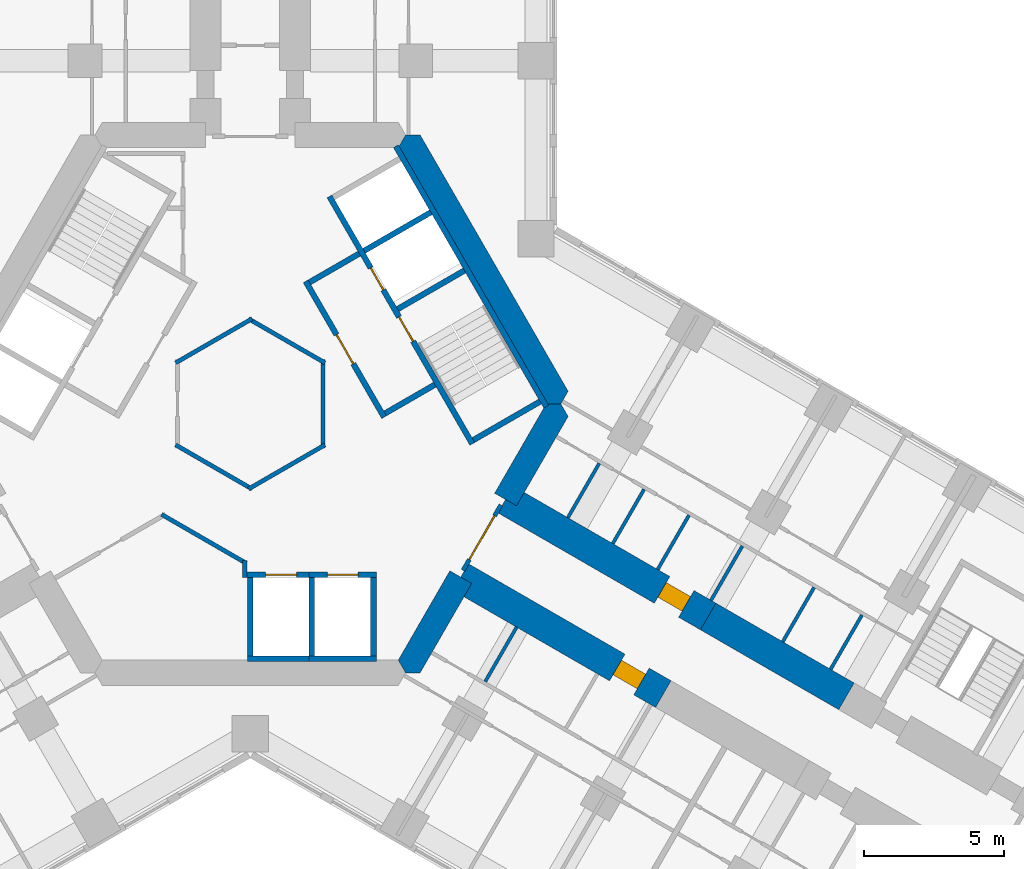
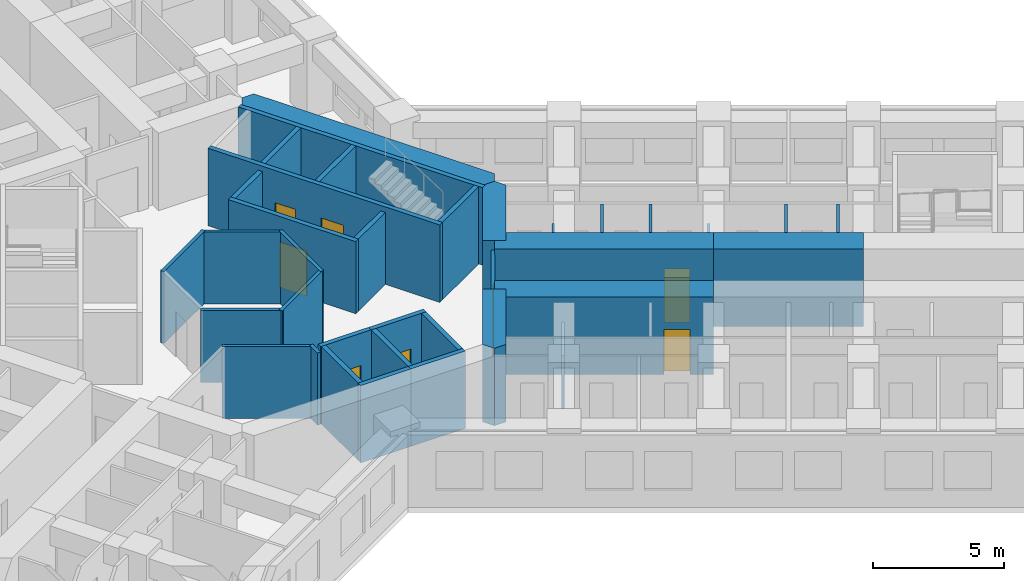
# One storey, part 15 of 19: 36 walls, 8 doors, 8 openings.
"""IFC4 building model written with IfcOpenShell, lengths in metres."""

import ifcopenshell
import ifcopenshell.guid

model = None  # the IFC model being written
_history = None  # IfcOwnerHistory: only IFC2X3 demands one
_inside = {}  # id of a spatial element -> (the spatial element, [elements in it])
_under = {}  # id of a project, library or spatial element -> (it, [spatial elements below it])
_declared = {}  # id of a project -> (the project, [libraries it declares])
_typed = {}  # id of a type object -> (the type object, [elements of that type])
_made_of = {}  # id of a material, layer set ... -> (it, [elements and type objects made of it])


def new_model(schema):
    """Start an empty IFC model of exactly this schema.

    Asked for "IFC4X3", IfcOpenShell would pick the latest addendum, in which some entities
    have other attributes; the version numbers below select the first issue.
    IFC2X3 requires an IfcOwnerHistory on every rooted entity: one is made here for all.
    """
    global model, _history
    if schema == "IFC4X3":
        model = ifcopenshell.file(schema_version=(4, 3, 0, 0))
    else:
        model = ifcopenshell.file(schema=schema)
    _inside.clear()
    _under.clear()
    _declared.clear()
    _typed.clear()
    _made_of.clear()
    _history = None
    if model.schema == "IFC2X3":
        org = make("IfcOrganization", Name="unknown")
        user = make(
            "IfcPersonAndOrganization",
            ThePerson=make("IfcPerson", FamilyName="unknown"),
            TheOrganization=org,
        )
        app = make(
            "IfcApplication",
            ApplicationDeveloper=org,
            Version="unknown",
            ApplicationFullName="unknown",
            ApplicationIdentifier="unknown",
        )
        _history = make(
            "IfcOwnerHistory",
            OwningUser=user,
            OwningApplication=app,
            ChangeAction="ADDED",
            CreationDate=0,
        )
    return model


def make(cls, **values):
    """One entity of the class cls with the attributes given. An attribute that is None is left unset."""
    return model.create_entity(
        cls, **{name: value for name, value in values.items() if value is not None}
    )


def rooted(cls, **values):
    """An entity with a GlobalId (a new one), such as an element, a storey or a relation."""
    return make(cls, GlobalId=ifcopenshell.guid.new(), OwnerHistory=_history, **values)


def si_unit(unit_type, name, prefix=None):
    """IfcSIUnit, for example si_unit("LENGTHUNIT", "METRE", prefix="MILLI")."""
    return make("IfcSIUnit", UnitType=unit_type, Prefix=prefix, Name=name)


def assignment(units):
    """IfcUnitAssignment: the units of a project."""
    return None if units is None else make("IfcUnitAssignment", Units=units)


def point(xyz):
    """IfcCartesianPoint."""
    return None if xyz is None else make("IfcCartesianPoint", Coordinates=xyz)


def direction(xyz):
    """IfcDirection."""
    return None if xyz is None else make("IfcDirection", DirectionRatios=xyz)


def frame(location, z_axis=None, x_axis=None):
    """IfcAxis2Placement3D, a coordinate frame: its origin and axes. An axis left out is left unset."""
    return make(
        "IfcAxis2Placement3D",
        Location=point(location),
        Axis=direction(z_axis),
        RefDirection=direction(x_axis),
    )


def frame_2d(location, x_axis=None):
    """IfcAxis2Placement2D, a coordinate frame in the plane: its origin and x axis."""
    return make(
        "IfcAxis2Placement2D", Location=point(location), RefDirection=direction(x_axis)
    )


def origin():
    """The frame at (0, 0, 0) with its axes left unset."""
    return frame((0.0, 0.0, 0.0))


def place(relative_to, where):
    """IfcLocalPlacement: puts the frame where relative to a parent placement (None: the world)."""
    return make(
        "IfcLocalPlacement", PlacementRelTo=relative_to, RelativePlacement=where
    )


def context(
    kind, dimensions, precision=None, world=None, true_north=None, identifier=None
):
    """IfcGeometricRepresentationContext, for example the 3D "Model" context."""
    return make(
        "IfcGeometricRepresentationContext",
        ContextIdentifier=identifier,
        ContextType=kind,
        CoordinateSpaceDimension=dimensions,
        Precision=precision,
        WorldCoordinateSystem=world,
        TrueNorth=true_north,
    )


def subcontext(parent, identifier, kind, view, scale=None):
    """IfcGeometricRepresentationSubContext, for example "Body" below "Model"."""
    return make(
        "IfcGeometricRepresentationSubContext",
        ContextIdentifier=identifier,
        ContextType=kind,
        ParentContext=parent,
        TargetScale=scale,
        TargetView=view,
    )


def project(units=None, contexts=None):
    """IfcProject with its units and contexts."""
    return rooted(
        "IfcProject",
        Name="project",
        RepresentationContexts=contexts,
        UnitsInContext=assignment(units),
    )


def spatial(cls, under=None, at=None, **own):
    """A site, building, storey or space (cls), placed at a placement, below another one or the project."""
    s = rooted(cls, ObjectPlacement=at, **own)
    if under is not None:
        _under.setdefault(under.id(), (under, []))[1].append(s)
    return s


def polyline(points):
    """IfcPolyline through the points."""
    return make("IfcPolyline", Points=[point(p) for p in points])


def profile(cls, at=None, kind="AREA", **sizes):
    """A parametric profile (cls). Its sizes go by their IFC names, for example OverallWidth=200.0."""
    return make(cls, ProfileType=kind, Position=at, **sizes)


def rectangle(**sizes):
    """IfcRectangleProfileDef."""
    return profile("IfcRectangleProfileDef", **sizes)


def outline(outer, holes=None, kind="AREA"):
    """IfcArbitraryClosedProfileDef: a profile drawn as a closed curve; with holes, ...WithVoids."""
    if holes is None:
        return make("IfcArbitraryClosedProfileDef", ProfileType=kind, OuterCurve=outer)
    return make(
        "IfcArbitraryProfileDefWithVoids",
        ProfileType=kind,
        OuterCurve=outer,
        InnerCurves=holes,
    )


def extrude(swept, where, along, depth):
    """IfcExtrudedAreaSolid: the profile swept, set in the frame where, extruded along a direction by depth."""
    return make(
        "IfcExtrudedAreaSolid",
        SweptArea=swept,
        Position=where,
        ExtrudedDirection=direction(along),
        Depth=depth,
    )


def shape(context_of_items, identifier, shape_type, items):
    """IfcShapeRepresentation: the items that make up one representation, for example the "Body"."""
    return make(
        "IfcShapeRepresentation",
        ContextOfItems=context_of_items,
        RepresentationIdentifier=identifier,
        RepresentationType=shape_type,
        Items=items,
    )


def material(Name=None, Category=None):
    """IfcMaterial."""
    return make("IfcMaterial", Name=Name, Category=Category)


def layer(
    of_material, thickness, ventilated=None, Name=None, Category=None, Priority=None
):
    """IfcMaterialLayer: one layer of a wall or slab, of a material (None: an air gap)."""
    return make(
        "IfcMaterialLayer",
        Material=of_material,
        LayerThickness=thickness,
        IsVentilated=ventilated,
        Name=Name,
        Category=Category,
        Priority=Priority,
    )


def layer_set(layers, Name=None):
    """IfcMaterialLayerSet."""
    return make("IfcMaterialLayerSet", MaterialLayers=layers, LayerSetName=Name)


def made_of(thing, what):
    """Note that an element or type object is made of a material, layer set ...; save() writes the relation."""
    if what is not None:
        _made_of.setdefault(what.id(), (what, []))[1].append(thing)
    return thing


def type_object(cls, material=None, **own):
    """A type object (cls), such as IfcWallType, which elements share."""
    return made_of(rooted(cls, **own), material)


def element(
    cls,
    number,
    at=None,
    inside=None,
    cuts=None,
    type_object=None,
    material=None,
    context=None,
    identifier="Body",
    shape_type=None,
    held_by="IfcProductDefinitionShape",
    body=None,
    shapes=None,
    **own,
):
    """One element of the class cls, such as IfcWall. Its Tag is "e" and its number.

    at: its placement. inside: the storey or other place that contains it. cuts: it is an
    opening in that element (IfcRelVoidsElement). A single representation is given by context,
    identifier, shape_type and body (its items); several are given by shapes. held_by: the class
    of the entity that holds the representations. save() writes the other relations.
    """
    e = rooted(cls, Tag="e%d" % number, ObjectPlacement=at, **own)
    if body is not None:
        shapes = [shape(context, identifier, shape_type, body)]
    if shapes is not None:
        e.Representation = make(held_by, Representations=shapes)
    if inside is not None:
        _inside.setdefault(inside.id(), (inside, []))[1].append(e)
    if cuts is not None:
        rooted(
            "IfcRelVoidsElement", RelatingBuildingElement=cuts, RelatedOpeningElement=e
        )
    if type_object is not None:
        _typed.setdefault(type_object.id(), (type_object, []))[1].append(e)
    return made_of(e, material)


def fill(opening, filler):
    """IfcRelFillsElement: the door or window that sits in an opening."""
    return rooted(
        "IfcRelFillsElement",
        RelatingOpeningElement=opening,
        RelatedBuildingElement=filler,
    )


def aggregate(whole, parts):
    """IfcRelAggregates: a whole, such as a stair, and the parts it consists of."""
    return rooted("IfcRelAggregates", RelatingObject=whole, RelatedObjects=parts)


def save(model, path):
    """Write the relations noted so far, then the file.

    IfcRelAggregates (storeys below a building ...), IfcRelContainedInSpatialStructure (elements
    in a storey), IfcRelDefinesByType, IfcRelAssociatesMaterial and IfcRelDeclares: one each for
    every whole, place, type object, material and project.
    """
    for whole, parts in _under.values():
        aggregate(whole, parts)
    for where, things in _inside.values():
        rooted(
            "IfcRelContainedInSpatialStructure",
            RelatedElements=things,
            RelatingStructure=where,
        )
    for kind, things in _typed.values():
        rooted("IfcRelDefinesByType", RelatedObjects=things, RelatingType=kind)
    for what, things in _made_of.values():
        rooted("IfcRelAssociatesMaterial", RelatedObjects=things, RelatingMaterial=what)
    for by, libraries in _declared.values():
        rooted("IfcRelDeclares", RelatingContext=by, RelatedDefinitions=libraries)
    model.write(path)


model = new_model("IFC4")

# Units and contexts
model_context = context("Model", 3, precision=1e-05, world=origin(), true_north=direction((0.0, 1.0)))
body_context = subcontext(model_context, "Body", "Model", "MODEL_VIEW")
ifc_project = project(units=[si_unit("LENGTHUNIT", "METRE"), si_unit("AREAUNIT", "SQUARE_METRE"), si_unit("VOLUMEUNIT", "CUBIC_METRE"), si_unit("PLANEANGLEUNIT", "RADIAN"), si_unit("MASSUNIT", "GRAM", prefix="KILO")], contexts=[model_context])

# Site, building, storey
site_placement = place(None, origin())
site = spatial("IfcSite", under=ifc_project, at=site_placement, CompositionType="ELEMENT")
building_placement = place(site_placement, origin())
building = spatial("IfcBuilding", under=site, at=building_placement, Name="Kosmar Iwan School Tower", CompositionType="ELEMENT")
storey_placement = place(building_placement, frame((0.0, 0.0, 120.199951171875)))
storey = spatial("IfcBuildingStorey", under=building, at=storey_placement, Name="L29", CompositionType="ELEMENT", Elevation=120.199951171875)

# Walls
ifc_material_1 = material(Name="Gypsum board on steel studs, fire-rated", Category="steel")
ifc_layer_1 = layer(ifc_material_1, 0.14990234375)
ifc_layer_set_1 = layer_set([ifc_layer_1], Name="Core room partition 150")
wall_type_1 = type_object("IfcWallType", Name="Core room partition 150", PredefinedType="PARTITIONING", material=ifc_layer_set_1)
wall_1_placement = place(storey_placement, frame((-3.1650390625, -3.9462890625, 0.0), z_axis=(0.0, 0.0, 1.0), x_axis=(0.866040335699, -0.499974136273, 0.0)))
element("IfcWall", 1, at=wall_1_placement, inside=storey, type_object=wall_type_1, Name="Core room partition L29-CW6", PredefinedType="PARTITIONING", context=body_context, shape_type="SweptSolid", body=[
    extrude(rectangle(XDim=3.498779296875, YDim=0.14990234375, at=frame_2d((1.74951171875, 0.0))), origin(), (0.0, 0.0, 1.0), 3.35009765625),
])
wall_2_placement = place(storey_placement, frame((-0.199951171875, -5.5830078125, 0.0), z_axis=(0.0, 0.0, 1.0), x_axis=(0.0, -1.0, 0.0)))
element("IfcWall", 2, at=wall_2_placement, inside=storey, type_object=wall_type_1, Name="Core room partition L29-CW7", PredefinedType="PARTITIONING", context=body_context, shape_type="SweptSolid", body=[
    extrude(rectangle(XDim=0.616943359375, YDim=0.14990234375, at=frame_2d((0.30859375, 0.0))), origin(), (0.0, 0.0, 1.0), 3.35009765625),
])
for number, where, z_axis, x_axis, name in (
    (3, (2.6650390625, -1.463623046875, 0.0), (0.0, 0.0, 1.0), (-0.866023080072, -0.500004024767, 0.0), "Core room partition L29-CW8"),
    (4, (0.06494140625, -3.039794921875, 0.0), (0.0, 0.0, 1.0), (-0.866023080072, 0.500004024767, 0.0), "Core room partition L29-CW9"),
    (5, (-2.6650390625, 1.463623046875, 0.0), (0.0, 0.0, 1.0), (0.866023080072, 0.500004024767, 0.0), "Core room partition L29-CW11"),
    (6, (-0.06494140625, 3.039794921875, 0.0), (0.0, 0.0, 1.0), (0.866023080072, -0.500004024767, 0.0), "Core room partition L29-CW12"),
    (7, (2.60009765625, 1.576171875, 0.0), (0.0, 0.0, 1.0), (0.0, -1.0, 0.0), "Core room partition L29-CW13"),
):
    element("IfcWall", number, at=place(storey_placement, frame(where, z_axis=z_axis, x_axis=x_axis)), inside=storey, type_object=wall_type_1, Name=name, PredefinedType="PARTITIONING", context=body_context, shape_type="SweptSolid", body=[
        extrude(rectangle(XDim=3.15234375, YDim=0.14990234375, at=frame_2d((1.576171875, 0.0))), origin(), (0.0, 0.0, 1.0), 3.35009765625),
    ])
ifc_material_2 = material(Name="Concrete C50/60", Category="concrete")
ifc_layer_2 = layer(ifc_material_2, 0.89990234375)
ifc_layer_set_2 = layer_set([ifc_layer_2], Name="Core wall 900")
wall_type_2 = type_object("IfcWallType", Name="Core wall 900", PredefinedType="SHEAR", material=ifc_layer_set_2)
wall_3_placement = place(storey_placement, origin())
element("IfcWall", 8, at=wall_3_placement, inside=storey, type_object=wall_type_2, Name="Core wall F030", PredefinedType="SHEAR", context=body_context, shape_type="SweptSolid", body=[
    extrude(outline(polyline([(10.5654296875, 0.0), (11.085205078125, 0.0), (11.344970703125, 0.449951171875), (6.062255859375, 9.60009765625), (5.54248046875, 9.60009765625), (5.28271484375, 9.14990234375), (10.5654296875, 0.0)])), origin(), (0.0, 0.0, 1.0), 3.60009765625),
])
wall_4_placement = place(storey_placement, origin())
element("IfcWall", 9, at=wall_4_placement, inside=storey, type_object=wall_type_2, Name="Core wall F330a", PredefinedType="SHEAR", context=body_context, shape_type="SweptSolid", body=[
    extrude(outline(polyline([(5.54248046875, -9.60009765625), (6.062255859375, -9.60009765625), (7.903564453125, -6.41064453125), (7.1240234375, -5.960693359375), (5.28271484375, -9.14990234375), (5.54248046875, -9.60009765625)])), origin(), (0.0, 0.0, 1.0), 3.60009765625),
])
wall_5_placement = place(storey_placement, origin())
element("IfcWall", 10, at=wall_5_placement, inside=storey, type_object=wall_type_2, Name="Core wall F330b", PredefinedType="SHEAR", context=body_context, shape_type="SweptSolid", body=[
    extrude(outline(polyline([(9.503662109375, -3.639404296875), (11.344970703125, -0.449951171875), (11.085205078125, 0.0), (10.5654296875, 0.0), (8.72412109375, -3.189453125), (9.503662109375, -3.639404296875)])), origin(), (0.0, 0.0, 1.0), 3.60009765625),
])

# Wall, opening, door
ifc_material_3 = material(Name="Concrete C50/60", Category="concrete")
ifc_layer_3 = layer(ifc_material_3, 1.10009765625)
ifc_layer_set_3 = layer_set([ifc_layer_3], Name="Corridor buttress wall 1100")
wall_type_3 = type_object("IfcWallType", Name="Corridor buttress wall 1100", PredefinedType="SHEAR", material=ifc_layer_set_3)
wall_6_placement = place(storey_placement, frame((9.11376953125, -3.414306640625, 0.0), z_axis=(0.0, 0.0, 1.0), x_axis=(0.866026859388, -0.499997478812, 0.0)))
wall_6 = element("IfcWall", 11, at=wall_6_placement, inside=storey, type_object=wall_type_3, Name="Corridor wall CL", PredefinedType="SHEAR", context=body_context, shape_type="SweptSolid", body=[
    extrude(rectangle(XDim=8.35009765625, YDim=1.10009765625, at=frame_2d((4.175048828125, 0.0))), origin(), (0.0, 0.0, 1.0), 3.60009765625),
])
opening_1_placement = place(wall_6_placement, frame((6.449951171875, 0.0, 0.0)))
opening_1 = element("IfcOpeningElement", 12, at=opening_1_placement, cuts=wall_6, Name="Opening D1", PredefinedType="OPENING", context=body_context, shape_type="SweptSolid", body=[
    extrude(rectangle(XDim=1.0, YDim=2.10009765625, at=frame_2d((0.5, 1.050048828125))), frame((0.0, 0.56201171875, 0.0), z_axis=(0.0, -1.0, 0.0), x_axis=(1.0, 0.0, 0.0)), (0.0, 0.0, 1.0), 1.1240234375),
])
ifc_material_4 = material(Name="Timber fire door in steel frame", Category="steel")
door_type_1 = type_object("IfcDoorType", Name="Flat entrance door 1000x2100", OperationType="SINGLE_SWING_LEFT", PredefinedType="DOOR", material=ifc_material_4)
door_1_placement = place(opening_1_placement, origin())
door_1 = element("IfcDoor", 13, at=door_1_placement, inside=storey, type_object=door_type_1, Name="Flat L29-CL1 entrance door", OperationType="SINGLE_SWING_LEFT", OverallHeight=2.10009765625, OverallWidth=1.0, PredefinedType="DOOR", context=body_context, shape_type="SweptSolid", body=[
    extrude(rectangle(XDim=1.0, YDim=2.10009765625, at=frame_2d((0.5, 1.050048828125))), frame((0.0, 0.300048828125, 0.0), z_axis=(0.0, -1.0, 0.0), x_axis=(1.0, 0.0, 0.0)), (0.0, 0.0, 1.0), 0.60009765625),
])
fill(opening_1, door_1)

# Wall
wall_7_placement = place(storey_placement, frame((16.34521484375, -7.58935546875, 0.0), z_axis=(0.0, 0.0, 1.0), x_axis=(0.866015111908, -0.50001782563, 0.0)))
element("IfcWall", 14, at=wall_7_placement, inside=storey, type_object=wall_type_3, Name="Corridor wall CL bay 2", PredefinedType="SHEAR", context=body_context, shape_type="SweptSolid", body=[
    extrude(rectangle(XDim=5.699951171875, YDim=1.10009765625, at=frame_2d((2.85009765625, 0.0))), origin(), (0.0, 0.0, 1.0), 3.60009765625),
])

# Wall, opening, door
wall_8_placement = place(storey_placement, frame((7.513916015625, -6.185546875, 0.0), z_axis=(0.0, 0.0, 1.0), x_axis=(0.866019549707, -0.500010139422, 0.0)))
wall_8 = element("IfcWall", 15, at=wall_8_placement, inside=storey, type_object=wall_type_3, Name="Corridor wall CR", PredefinedType="SHEAR", context=body_context, shape_type="SweptSolid", body=[
    extrude(rectangle(XDim=8.349853515625, YDim=1.10009765625, at=frame_2d((4.1748046875, 0.0))), origin(), (0.0, 0.0, 1.0), 3.60009765625),
])
opening_2_placement = place(wall_8_placement, frame((6.449951171875, 0.0, 0.0)))
opening_2 = element("IfcOpeningElement", 16, at=opening_2_placement, cuts=wall_8, Name="Opening D1", PredefinedType="OPENING", context=body_context, shape_type="SweptSolid", body=[
    extrude(rectangle(XDim=1.0, YDim=2.10009765625, at=frame_2d((0.5, 1.050048828125))), frame((0.0, 0.56201171875, 0.0), z_axis=(0.0, -1.0, 0.0), x_axis=(1.0, 0.0, 0.0)), (0.0, 0.0, 1.0), 1.1240234375),
])
door_2_placement = place(opening_2_placement, origin())
door_2 = element("IfcDoor", 17, at=door_2_placement, inside=storey, type_object=door_type_1, Name="Flat L29-CR1 entrance door", OperationType="SINGLE_SWING_RIGHT", OverallHeight=2.10009765625, OverallWidth=1.0, PredefinedType="DOOR", context=body_context, shape_type="SweptSolid", body=[
    extrude(rectangle(XDim=1.0, YDim=2.10009765625, at=frame_2d((0.5, 1.050048828125))), frame((0.0, 0.300048828125, 0.0), z_axis=(0.0, -1.0, 0.0), x_axis=(1.0, 0.0, 0.0)), (0.0, 0.0, 1.0), 0.60009765625),
])
fill(opening_2, door_2)

ifc_material_5 = material(Name="Steel framed glazed screen", Category="steel")
ifc_layer_4 = layer(ifc_material_5, 0.14990234375)
ifc_layer_set_4 = layer_set([ifc_layer_4], Name="Corridor screen wall 150")
wall_type_4 = type_object("IfcWallType", Name="Corridor screen wall 150", PredefinedType="PARTITIONING", material=ifc_layer_set_4)
wall_9_placement = place(storey_placement, frame((7.595458984375, -5.944091796875, 0.0), z_axis=(0.0, 0.0, 1.0), x_axis=(0.500048589285, 0.86599734893, 0.0)))
wall_9 = element("IfcWall", 18, at=wall_9_placement, inside=storey, type_object=wall_type_4, Name="Corridor screen C L29", PredefinedType="PARTITIONING", context=body_context, shape_type="SweptSolid", body=[
    extrude(rectangle(XDim=2.699951171875, YDim=0.14990234375, at=frame_2d((1.35009765625, 0.0))), origin(), (0.0, 0.0, 1.0), 3.35009765625),
])
opening_3_placement = place(wall_9_placement, frame((0.449951171875, 0.0, 0.0)))
opening_3 = element("IfcOpeningElement", 19, at=opening_3_placement, cuts=wall_9, Name="Opening D9", PredefinedType="OPENING", context=body_context, shape_type="SweptSolid", body=[
    extrude(rectangle(XDim=1.800048828125, YDim=2.10009765625, at=frame_2d((0.89990234375, 1.050048828125))), frame((0.0, 0.0869140625, 0.0), z_axis=(0.0, -1.0, 0.0), x_axis=(1.0, 0.0, 0.0)), (0.0, 0.0, 1.0), 0.173828125),
])
ifc_material_6 = material(Name="Steel framed glazed smoke door", Category="steel")
door_type_2 = type_object("IfcDoorType", Name="Corridor smoke door pair 1800x2100", OperationType="DOUBLE_DOOR_DOUBLE_SWING", PredefinedType="DOOR", material=ifc_material_6)
door_3_placement = place(opening_3_placement, origin())
door_3 = element("IfcDoor", 20, at=door_3_placement, inside=storey, type_object=door_type_2, Name="Corridor doors C L29", OperationType="DOUBLE_DOOR_DOUBLE_SWING", OverallHeight=2.10009765625, OverallWidth=1.800048828125, PredefinedType="DOOR", context=body_context, shape_type="SweptSolid", body=[
    extrude(rectangle(XDim=1.800048828125, YDim=2.10009765625, at=frame_2d((0.89990234375, 1.050048828125))), frame((0.0, 0.02490234375, 0.0), z_axis=(0.0, -1.0, 0.0), x_axis=(1.0, 0.0, 0.0)), (0.0, 0.0, 1.0), 0.050048828125),
])
fill(opening_3, door_3)

# Walls
ifc_material_7 = material(Name="Gypsum board on steel studs", Category="steel")
ifc_layer_5 = layer(ifc_material_7, 0.1201171875)
ifc_layer_set_5 = layer_set([ifc_layer_5], Name="Dwelling partition 120")
wall_type_5 = type_object("IfcWallType", Name="Dwelling partition 120", PredefinedType="PARTITIONING", material=ifc_layer_set_5)
wall_10_placement = place(storey_placement, frame((11.33740234375, -4.06298828125, 0.0), z_axis=(0.0, 0.0, 1.0), x_axis=(0.500030632641, 0.866007717299, 0.0)))
element("IfcWall", 21, at=wall_10_placement, inside=storey, type_object=wall_type_5, Name="Partition L29-CL1-Y1", PredefinedType="PARTITIONING", context=body_context, shape_type="SweptSolid", body=[
    extrude(rectangle(XDim=2.239990234375, YDim=0.1201171875, at=frame_2d((1.1201171875, 0.0))), origin(), (0.0, 0.0, 1.0), 2.449951171875),
])
for number, where, z_axis, x_axis, name in (
    (22, (12.939453125, -4.988037109375, 0.0), (0.0, 0.0, 1.0), (0.500030632641, 0.866007717299, 0.0), "Partition L29-CL1-Y2"),
    (23, (14.541748046875, -5.9130859375, 0.0), (0.0, 0.0, 1.0), (0.49994888933, 0.866054910533, 0.0), "Partition L29-CL1-Y3"),
):
    element("IfcWall", number, at=place(storey_placement, frame(where, z_axis=z_axis, x_axis=x_axis)), inside=storey, type_object=wall_type_5, Name=name, PredefinedType="PARTITIONING", context=body_context, shape_type="SweptSolid", body=[
        extrude(rectangle(XDim=2.239990234375, YDim=0.1201171875, at=frame_2d((1.1201171875, 0.0))), origin(), (0.0, 0.0, 1.0), 3.35009765625),
    ])
wall_11_placement = place(storey_placement, frame((16.447021484375, -7.012939453125, 0.0), z_axis=(0.0, 0.0, 1.0), x_axis=(0.49999608499, 0.866027664105, 0.0)))
element("IfcWall", 24, at=wall_11_placement, inside=storey, type_object=wall_type_5, Name="Partition L29-CL1-Y4", PredefinedType="PARTITIONING", context=body_context, shape_type="SweptSolid", body=[
    extrude(rectangle(XDim=2.23974609375, YDim=0.1201171875, at=frame_2d((1.119873046875, 0.0))), origin(), (0.0, 0.0, 1.0), 2.449951171875),
])
for number, where, z_axis, x_axis, name in (
    (25, (19.0078125, -8.49169921875, 0.0), (0.0, 0.0, 1.0), (0.500030632641, 0.866007717299, 0.0), "Partition L29-CL1-Y5"),
    (26, (20.71533203125, -9.477294921875, 0.0), (0.0, 0.0, 1.0), (0.49994888933, 0.866054910533, 0.0), "Partition L29-CL1-Y6"),
):
    element("IfcWall", number, at=place(storey_placement, frame(where, z_axis=z_axis, x_axis=x_axis)), inside=storey, type_object=wall_type_5, Name=name, PredefinedType="PARTITIONING", context=body_context, shape_type="SweptSolid", body=[
        extrude(rectangle(XDim=2.239990234375, YDim=0.1201171875, at=frame_2d((1.1201171875, 0.0))), origin(), (0.0, 0.0, 1.0), 3.35009765625),
    ])
wall_12_placement = place(storey_placement, frame((9.5078125, -7.971923828125, 0.0), z_axis=(0.0, 0.0, 1.0), x_axis=(-0.49994888933, -0.866054910533, 0.0)))
element("IfcWall", 27, at=wall_12_placement, inside=storey, type_object=wall_type_5, Name="Partition L29-CR1-Y1", PredefinedType="PARTITIONING", context=body_context, shape_type="SweptSolid", body=[
    extrude(rectangle(XDim=2.239990234375, YDim=0.1201171875, at=frame_2d((1.1201171875, 0.0))), origin(), (0.0, 0.0, 1.0), 2.449951171875),
])

# Wall, opening, door
ifc_material_8 = material(Name="Concrete block masonry", Category="masonry")
ifc_layer_6 = layer(ifc_material_8, 0.199951171875)
ifc_layer_set_6 = layer_set([ifc_layer_6], Name="Fire lobby wall 200")
wall_type_6 = type_object("IfcWallType", Name="Fire lobby wall 200", PredefinedType="PARTITIONING", material=ifc_layer_set_6)
wall_13_placement = place(storey_placement, frame((4.777587890625, -0.474853515625, 0.0), z_axis=(0.0, 0.0, 1.0), x_axis=(-0.500016814911, 0.866015695474, 0.0)))
wall_13 = element("IfcWall", 28, at=wall_13_placement, inside=storey, type_object=wall_type_6, Name="Firefighting lobby wall ST1", PredefinedType="PARTITIONING", context=body_context, shape_type="SweptSolid", body=[
    extrude(rectangle(XDim=5.599853515625, YDim=0.199951171875, at=frame_2d((2.7998046875, 0.0))), origin(), (0.0, 0.0, 1.0), 3.35009765625),
])
opening_4_placement = place(wall_13_placement, frame((2.199951171875, 0.0, 0.0)))
opening_4 = element("IfcOpeningElement", 29, at=opening_4_placement, cuts=wall_13, Name="Opening D7", PredefinedType="OPENING", context=body_context, shape_type="SweptSolid", body=[
    extrude(rectangle(XDim=1.199951171875, YDim=2.10009765625, at=frame_2d((0.60009765625, 1.050048828125))), frame((0.0, 0.112060546875, 0.0), z_axis=(0.0, -1.0, 0.0), x_axis=(1.0, 0.0, 0.0)), (0.0, 0.0, 1.0), 0.223876953125),
])
ifc_material_9 = material(Name="Steel fire door", Category="steel")
door_type_3 = type_object("IfcDoorType", Name="Fire lobby door 1200x2100", OperationType="SINGLE_SWING_LEFT", PredefinedType="DOOR", material=ifc_material_9)
door_4_placement = place(opening_4_placement, frame((1.199951171875, 0.0, 0.0), z_axis=(0.0, 0.0, 1.0), x_axis=(-1.0, 0.0, 0.0)))
door_4 = element("IfcDoor", 30, at=door_4_placement, inside=storey, type_object=door_type_3, Name="Firefighting lobby door ST1 L29", OperationType="SINGLE_SWING_RIGHT", OverallHeight=2.10009765625, OverallWidth=1.199951171875, PredefinedType="DOOR", context=body_context, shape_type="SweptSolid", body=[
    extrude(rectangle(XDim=1.199951171875, YDim=2.10009765625, at=frame_2d((0.60009765625, 1.050048828125))), frame((0.0, 0.02490234375, 0.0), z_axis=(0.0, -1.0, 0.0), x_axis=(1.0, 0.0, 0.0)), (0.0, 0.0, 1.0), 0.050048828125),
])
fill(opening_4, door_4)

# Walls
wall_14_placement = place(storey_placement, frame((4.814208984375, -0.33837890625, 0.0), z_axis=(0.0, 0.0, 1.0), x_axis=(0.865969381856, 0.500097020274, 0.0)))
element("IfcWall", 31, at=wall_14_placement, inside=storey, type_object=wall_type_6, Name="Firefighting lobby wall ST1", PredefinedType="PARTITIONING", context=body_context, shape_type="SweptSolid", body=[
    extrude(rectangle(XDim=2.0498046875, YDim=0.199951171875, at=frame_2d((1.02490234375, 0.0))), origin(), (0.0, 0.0, 1.0), 3.35009765625),
])
wall_15_placement = place(storey_placement, frame((2.114013671875, 4.33837890625, 0.0), z_axis=(0.0, 0.0, 1.0), x_axis=(0.866050731258, 0.499956128963, 0.0)))
element("IfcWall", 32, at=wall_15_placement, inside=storey, type_object=wall_type_6, Name="Firefighting lobby wall ST1", PredefinedType="PARTITIONING", context=body_context, shape_type="SweptSolid", body=[
    extrude(rectangle(XDim=2.050048828125, YDim=0.199951171875, at=frame_2d((1.02490234375, 0.0))), origin(), (0.0, 0.0, 1.0), 3.35009765625),
])

# Wall, openings, doors
ifc_material_10 = material(Name="Concrete C50/60", Category="concrete")
ifc_layer_7 = layer(ifc_material_10, 0.199951171875)
ifc_layer_set_7 = layer_set([ifc_layer_7], Name="Lift shaft wall 200")
wall_type_7 = type_object("IfcWallType", Name="Lift shaft wall 200", PredefinedType="SHEAR", material=ifc_layer_set_7)
wall_16_placement = place(storey_placement, frame((7.926025390625, -1.42822265625, 0.0), z_axis=(0.0, 0.0, 1.0), x_axis=(-0.499998023675, 0.866026544813, 0.0)))
wall_16 = element("IfcWall", 33, at=wall_16_placement, inside=storey, type_object=wall_type_7, Name="Lift and stair front wall AC", PredefinedType="SHEAR", context=body_context, shape_type="SweptSolid", body=[
    extrude(rectangle(XDim=10.19970703125, YDim=0.199951171875, at=frame_2d((5.099853515625, 0.0))), origin(), (0.0, 0.0, 1.0), 3.60009765625),
])
opening_5_placement = place(wall_16_placement, frame((6.35009765625, 0.0, 0.0)))
opening_5 = element("IfcOpeningElement", 34, at=opening_5_placement, cuts=wall_16, Name="Opening LD2", PredefinedType="OPENING", context=body_context, shape_type="SweptSolid", body=[
    extrude(rectangle(XDim=0.89990234375, YDim=2.10009765625, at=frame_2d((0.449951171875, 1.050048828125))), frame((0.0, 0.112060546875, 0.0), z_axis=(0.0, -1.0, 0.0), x_axis=(1.0, 0.0, 0.0)), (0.0, 0.0, 1.0), 0.223876953125),
])
opening_6_placement = place(wall_16_placement, frame((4.22998046875, 0.0, 0.0)))
opening_6 = element("IfcOpeningElement", 35, at=opening_6_placement, cuts=wall_16, Name="Opening D6", PredefinedType="OPENING", context=body_context, shape_type="SweptSolid", body=[
    extrude(rectangle(XDim=1.0, YDim=2.10009765625, at=frame_2d((0.5, 1.050048828125))), frame((0.0, 0.112060546875, 0.0), z_axis=(0.0, -1.0, 0.0), x_axis=(1.0, 0.0, 0.0)), (0.0, 0.0, 1.0), 0.223876953125),
])
ifc_material_11 = material(Name="Stainless steel sliding lift door", Category="steel")
door_type_4 = type_object("IfcDoorType", Name="Firefighting lift landing door 900x2100", OperationType="SLIDING_TO_LEFT", PredefinedType="DOOR", material=ifc_material_11)
door_5_placement = place(opening_5_placement, origin())
door_5 = element("IfcDoor", 36, at=door_5_placement, inside=storey, type_object=door_type_4, Name="Lift FF1 landing door L29", OperationType="SLIDING_TO_LEFT", OverallHeight=2.10009765625, OverallWidth=0.89990234375, PredefinedType="DOOR", context=body_context, shape_type="SweptSolid", body=[
    extrude(rectangle(XDim=0.89990234375, YDim=2.10009765625, at=frame_2d((0.449951171875, 1.050048828125))), frame((0.0, 0.02490234375, 0.0), z_axis=(0.0, -1.0, 0.0), x_axis=(1.0, 0.0, 0.0)), (0.0, 0.0, 1.0), 0.050048828125),
])
fill(opening_5, door_5)
ifc_material_12 = material(Name="Steel fire door", Category="steel")
door_type_5 = type_object("IfcDoorType", Name="Stair door 1000x2100", OperationType="SINGLE_SWING_LEFT", PredefinedType="DOOR", material=ifc_material_12)
door_6_placement = place(opening_6_placement, origin())
door_6 = element("IfcDoor", 37, at=door_6_placement, inside=storey, type_object=door_type_5, Name="Stair ST1 door L29", OperationType="SINGLE_SWING_LEFT", OverallHeight=2.10009765625, OverallWidth=1.0, PredefinedType="DOOR", context=body_context, shape_type="SweptSolid", body=[
    extrude(rectangle(XDim=1.0, YDim=2.10009765625, at=frame_2d((0.5, 1.050048828125))), frame((0.0, 0.02490234375, 0.0), z_axis=(0.0, -1.0, 0.0), x_axis=(1.0, 0.0, 0.0)), (0.0, 0.0, 1.0), 0.050048828125),
])
fill(opening_6, door_6)

# Walls
wall_17_placement = place(storey_placement, frame((10.5654296875, -0.10009765625, 0.0), z_axis=(0.0, 0.0, 1.0), x_axis=(-0.499999935134, 0.866025441235, 0.0)))
element("IfcWall", 38, at=wall_17_placement, inside=storey, type_object=wall_type_7, Name="Lift and stair back wall AC", PredefinedType="SHEAR", context=body_context, shape_type="SweptSolid", body=[
    extrude(rectangle(XDim=10.73876953125, YDim=0.199951171875, at=frame_2d((5.369384765625, 0.0))), origin(), (0.0, 0.0, 1.0), 3.60009765625),
])
wall_18_placement = place(storey_placement, frame((4.062744140625, 5.46337890625, 0.0), z_axis=(0.0, 0.0, 1.0), x_axis=(0.866027397988, 0.499996545922, 0.0)))
element("IfcWall", 39, at=wall_18_placement, inside=storey, type_object=wall_type_7, Name="Lift shaft wall AC 1", PredefinedType="SHEAR", context=body_context, shape_type="SweptSolid", body=[
    extrude(rectangle(XDim=2.75, YDim=0.199951171875, at=frame_2d((1.375, 0.0))), origin(), (0.0, 0.0, 1.0), 3.60009765625),
])

# Wall, opening, door
wall_19_placement = place(storey_placement, frame((-0.125, -6.10009765625, 0.0), z_axis=(0.0, 0.0, 1.0), x_axis=(1.0, 0.0, 0.0)))
wall_19 = element("IfcWall", 40, at=wall_19_placement, inside=storey, type_object=wall_type_7, Name="Lift and stair front wall BC", PredefinedType="SHEAR", context=body_context, shape_type="SweptSolid", body=[
    extrude(rectangle(XDim=2.22509765625, YDim=0.199951171875, at=frame_2d((1.112548828125, 0.0))), origin(), (0.0, 0.0, 1.0), 3.60009765625),
])
opening_7_placement = place(wall_19_placement, frame((0.675048828125, 0.0, 0.0)))
opening_7 = element("IfcOpeningElement", 41, at=opening_7_placement, cuts=wall_19, Name="Opening LD1", PredefinedType="OPENING", context=body_context, shape_type="SweptSolid", body=[
    extrude(rectangle(XDim=1.10009765625, YDim=2.10009765625, at=frame_2d((0.550048828125, 1.050048828125))), frame((0.0, 0.112060546875, 0.0), z_axis=(0.0, -1.0, 0.0), x_axis=(1.0, 0.0, 0.0)), (0.0, 0.0, 1.0), 0.223876953125),
])
ifc_material_13 = material(Name="Stainless steel sliding lift door", Category="steel")
door_type_6 = type_object("IfcDoorType", Name="Lift landing door 1100x2100", OperationType="SLIDING_TO_LEFT", PredefinedType="DOOR", material=ifc_material_13)
door_7_placement = place(opening_7_placement, origin())
door_7 = element("IfcDoor", 42, at=door_7_placement, inside=storey, type_object=door_type_6, Name="Lift PL3 landing door L29", OperationType="SLIDING_TO_LEFT", OverallHeight=2.10009765625, OverallWidth=1.10009765625, PredefinedType="DOOR", context=body_context, shape_type="SweptSolid", body=[
    extrude(rectangle(XDim=1.10009765625, YDim=2.10009765625, at=frame_2d((0.550048828125, 1.050048828125))), frame((0.0, 0.02490234375, 0.0), z_axis=(0.0, -1.0, 0.0), x_axis=(1.0, 0.0, 0.0)), (0.0, 0.0, 1.0), 0.050048828125),
])
fill(opening_7, door_7)

# Wall
wall_20_placement = place(storey_placement, frame((-0.10009765625, -9.10009765625, 0.0), z_axis=(0.0, 0.0, 1.0), x_axis=(1.0, 0.0, 0.0)))
element("IfcWall", 43, at=wall_20_placement, inside=storey, type_object=wall_type_7, Name="Lift and stair back wall BC", PredefinedType="SHEAR", context=body_context, shape_type="SweptSolid", body=[
    extrude(rectangle(XDim=2.2001953125, YDim=0.199951171875, at=frame_2d((1.10009765625, 0.0))), origin(), (0.0, 0.0, 1.0), 3.60009765625),
])

# Wall, opening, door
wall_21_placement = place(storey_placement, frame((2.10009765625, -6.10009765625, 0.0), z_axis=(0.0, 0.0, 1.0), x_axis=(1.0, 0.0, 0.0)))
wall_21 = element("IfcWall", 44, at=wall_21_placement, inside=storey, type_object=wall_type_7, Name="Lift and stair front wall BC", PredefinedType="SHEAR", context=body_context, shape_type="SweptSolid", body=[
    extrude(rectangle(XDim=2.39990234375, YDim=0.199951171875, at=frame_2d((1.199951171875, 0.0))), origin(), (0.0, 0.0, 1.0), 3.60009765625),
])
opening_8_placement = place(wall_21_placement, frame((0.64990234375, 0.0, 0.0)))
opening_8 = element("IfcOpeningElement", 45, at=opening_8_placement, cuts=wall_21, Name="Opening LD1", PredefinedType="OPENING", context=body_context, shape_type="SweptSolid", body=[
    extrude(rectangle(XDim=1.10009765625, YDim=2.10009765625, at=frame_2d((0.550048828125, 1.050048828125))), frame((0.0, 0.112060546875, 0.0), z_axis=(0.0, -1.0, 0.0), x_axis=(1.0, 0.0, 0.0)), (0.0, 0.0, 1.0), 0.223876953125),
])
door_8_placement = place(opening_8_placement, origin())
door_8 = element("IfcDoor", 46, at=door_8_placement, inside=storey, type_object=door_type_6, Name="Lift PL4 landing door L29", OperationType="SLIDING_TO_LEFT", OverallHeight=2.10009765625, OverallWidth=1.10009765625, PredefinedType="DOOR", context=body_context, shape_type="SweptSolid", body=[
    extrude(rectangle(XDim=1.10009765625, YDim=2.10009765625, at=frame_2d((0.550048828125, 1.050048828125))), frame((0.0, 0.02490234375, 0.0), z_axis=(0.0, -1.0, 0.0), x_axis=(1.0, 0.0, 0.0)), (0.0, 0.0, 1.0), 0.050048828125),
])
fill(opening_8, door_8)

# Walls
wall_22_placement = place(storey_placement, frame((2.10009765625, -9.10009765625, 0.0), z_axis=(0.0, 0.0, 1.0), x_axis=(1.0, 0.0, 0.0)))
element("IfcWall", 47, at=wall_22_placement, inside=storey, type_object=wall_type_7, Name="Lift and stair back wall BC", PredefinedType="SHEAR", context=body_context, shape_type="SweptSolid", body=[
    extrude(rectangle(XDim=2.39990234375, YDim=0.199951171875, at=frame_2d((1.199951171875, 0.0))), origin(), (0.0, 0.0, 1.0), 3.60009765625),
])
for number, where, z_axis, x_axis, name in (
    (48, (0.0, -6.199951171875, 0.0), (0.0, 0.0, 1.0), (0.0, -1.0, 0.0), "Lift shaft wall BC 0"),
    (49, (2.199951171875, -6.199951171875, 0.0), (0.0, 0.0, 1.0), (0.0, -1.0, 0.0), "Lift shaft wall BC 1"),
    (50, (4.39990234375, -6.199951171875, 0.0), (0.0, 0.0, 1.0), (0.0, -1.0, 0.0), "Lift shaft wall BC 2"),
):
    element("IfcWall", number, at=place(storey_placement, frame(where, z_axis=z_axis, x_axis=x_axis)), inside=storey, type_object=wall_type_7, Name=name, PredefinedType="SHEAR", context=body_context, shape_type="SweptSolid", body=[
        extrude(rectangle(XDim=2.800048828125, YDim=0.199951171875, at=frame_2d((1.39990234375, 0.0))), origin(), (0.0, 0.0, 1.0), 3.60009765625),
    ])
ifc_material_14 = material(Name="Concrete C50/60", Category="concrete")
ifc_layer_8 = layer(ifc_material_14, 0.199951171875)
ifc_layer_set_8 = layer_set([ifc_layer_8], Name="Stair enclosure wall 200")
wall_type_8 = type_object("IfcWallType", Name="Stair enclosure wall 200", PredefinedType="SHEAR", material=ifc_layer_set_8)
for number, where, z_axis, x_axis, name in (
    (51, (7.962646484375, -1.291748046875, 0.0), (0.0, 0.0, 1.0), (0.866027397988, 0.499996545922, 0.0), "Stair ST1 wall"),
    (52, (5.2626953125, 3.384765625, 0.0), (0.0, 0.0, 1.0), (0.866027397988, 0.499996545922, 0.0), "Stair ST1 wall"),
):
    element("IfcWall", number, at=place(storey_placement, frame(where, z_axis=z_axis, x_axis=x_axis)), inside=storey, type_object=wall_type_8, Name=name, PredefinedType="SHEAR", context=body_context, shape_type="SweptSolid", body=[
        extrude(rectangle(XDim=2.75, YDim=0.199951171875, at=frame_2d((1.375, 0.0))), origin(), (0.0, 0.0, 1.0), 3.60009765625),
    ])

save(model, "model.ifc")
